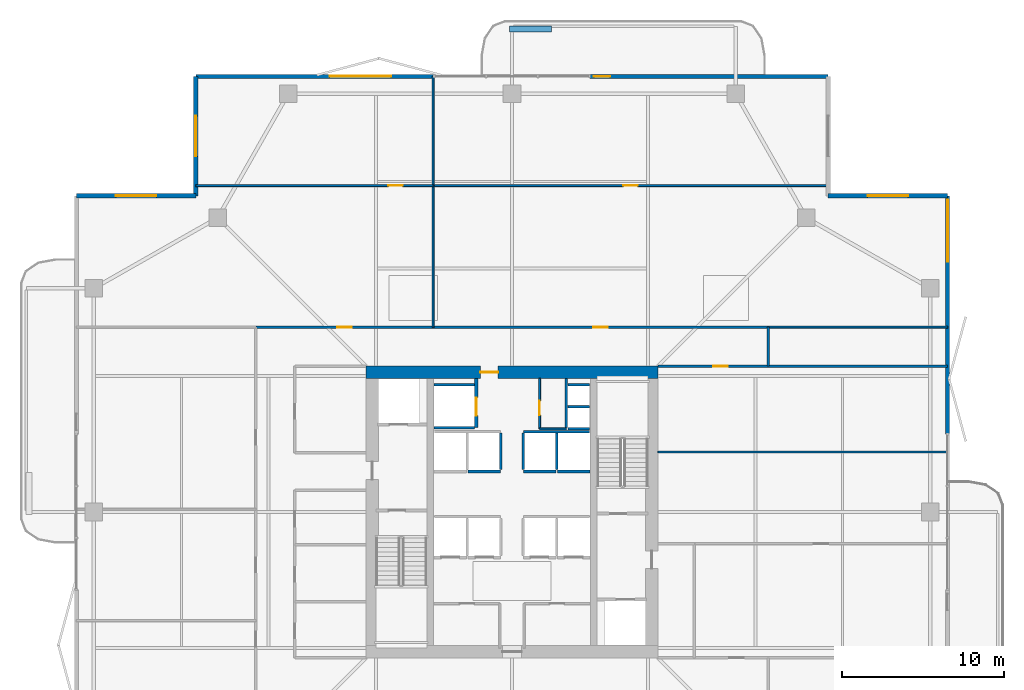
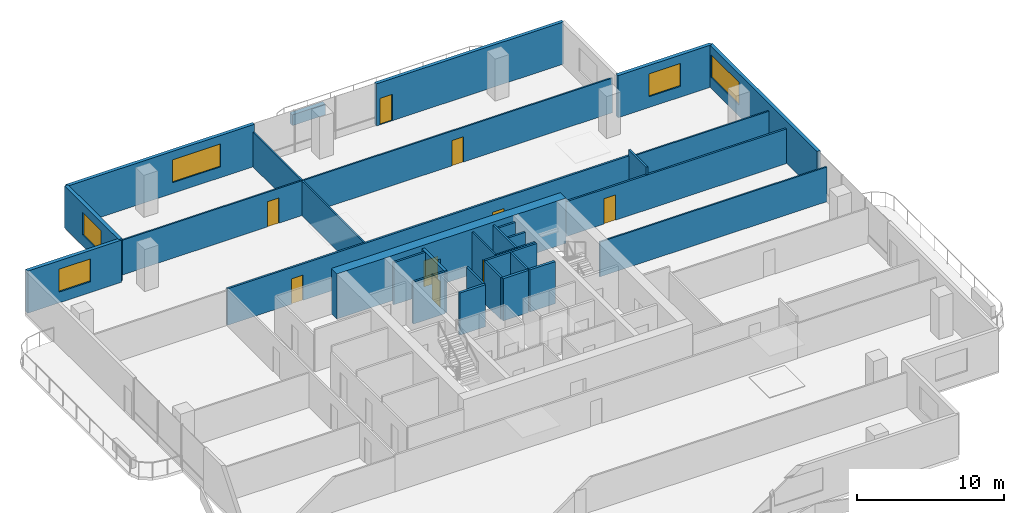
# One storey, part 19 of 24: 32 walls, 9 doors, 5 windows, 14 openings.
"""IFC4 building model written with IfcOpenShell, lengths in metres."""

import ifcopenshell
import ifcopenshell.guid

model = None  # the IFC model being written
_history = None  # IfcOwnerHistory: only IFC2X3 demands one
_inside = {}  # id of a spatial element -> (the spatial element, [elements in it])
_under = {}  # id of a project, library or spatial element -> (it, [spatial elements below it])
_declared = {}  # id of a project -> (the project, [libraries it declares])
_typed = {}  # id of a type object -> (the type object, [elements of that type])
_made_of = {}  # id of a material, layer set ... -> (it, [elements and type objects made of it])


def new_model(schema):
    """Start an empty IFC model of exactly this schema.

    Asked for "IFC4X3", IfcOpenShell would pick the latest addendum, in which some entities
    have other attributes; the version numbers below select the first issue.
    IFC2X3 requires an IfcOwnerHistory on every rooted entity: one is made here for all.
    """
    global model, _history
    if schema == "IFC4X3":
        model = ifcopenshell.file(schema_version=(4, 3, 0, 0))
    else:
        model = ifcopenshell.file(schema=schema)
    _inside.clear()
    _under.clear()
    _declared.clear()
    _typed.clear()
    _made_of.clear()
    _history = None
    if model.schema == "IFC2X3":
        org = make("IfcOrganization", Name="unknown")
        user = make(
            "IfcPersonAndOrganization",
            ThePerson=make("IfcPerson", FamilyName="unknown"),
            TheOrganization=org,
        )
        app = make(
            "IfcApplication",
            ApplicationDeveloper=org,
            Version="unknown",
            ApplicationFullName="unknown",
            ApplicationIdentifier="unknown",
        )
        _history = make(
            "IfcOwnerHistory",
            OwningUser=user,
            OwningApplication=app,
            ChangeAction="ADDED",
            CreationDate=0,
        )
    return model


def make(cls, **values):
    """One entity of the class cls with the attributes given. An attribute that is None is left unset."""
    return model.create_entity(
        cls, **{name: value for name, value in values.items() if value is not None}
    )


def rooted(cls, **values):
    """An entity with a GlobalId (a new one), such as an element, a storey or a relation."""
    return make(cls, GlobalId=ifcopenshell.guid.new(), OwnerHistory=_history, **values)


def si_unit(unit_type, name, prefix=None):
    """IfcSIUnit, for example si_unit("LENGTHUNIT", "METRE", prefix="MILLI")."""
    return make("IfcSIUnit", UnitType=unit_type, Prefix=prefix, Name=name)


def assignment(units):
    """IfcUnitAssignment: the units of a project."""
    return None if units is None else make("IfcUnitAssignment", Units=units)


def point(xyz):
    """IfcCartesianPoint."""
    return None if xyz is None else make("IfcCartesianPoint", Coordinates=xyz)


def direction(xyz):
    """IfcDirection."""
    return None if xyz is None else make("IfcDirection", DirectionRatios=xyz)


def frame(location, z_axis=None, x_axis=None):
    """IfcAxis2Placement3D, a coordinate frame: its origin and axes. An axis left out is left unset."""
    return make(
        "IfcAxis2Placement3D",
        Location=point(location),
        Axis=direction(z_axis),
        RefDirection=direction(x_axis),
    )


def frame_2d(location, x_axis=None):
    """IfcAxis2Placement2D, a coordinate frame in the plane: its origin and x axis."""
    return make(
        "IfcAxis2Placement2D", Location=point(location), RefDirection=direction(x_axis)
    )


def origin():
    """The frame at (0, 0, 0) with its axes left unset."""
    return frame((0.0, 0.0, 0.0))


def place(relative_to, where):
    """IfcLocalPlacement: puts the frame where relative to a parent placement (None: the world)."""
    return make(
        "IfcLocalPlacement", PlacementRelTo=relative_to, RelativePlacement=where
    )


def context(
    kind, dimensions, precision=None, world=None, true_north=None, identifier=None
):
    """IfcGeometricRepresentationContext, for example the 3D "Model" context."""
    return make(
        "IfcGeometricRepresentationContext",
        ContextIdentifier=identifier,
        ContextType=kind,
        CoordinateSpaceDimension=dimensions,
        Precision=precision,
        WorldCoordinateSystem=world,
        TrueNorth=true_north,
    )


def subcontext(parent, identifier, kind, view, scale=None):
    """IfcGeometricRepresentationSubContext, for example "Body" below "Model"."""
    return make(
        "IfcGeometricRepresentationSubContext",
        ContextIdentifier=identifier,
        ContextType=kind,
        ParentContext=parent,
        TargetScale=scale,
        TargetView=view,
    )


def project(units=None, contexts=None):
    """IfcProject with its units and contexts."""
    return rooted(
        "IfcProject",
        Name="project",
        RepresentationContexts=contexts,
        UnitsInContext=assignment(units),
    )


def spatial(cls, under=None, at=None, **own):
    """A site, building, storey or space (cls), placed at a placement, below another one or the project."""
    s = rooted(cls, ObjectPlacement=at, **own)
    if under is not None:
        _under.setdefault(under.id(), (under, []))[1].append(s)
    return s


def profile(cls, at=None, kind="AREA", **sizes):
    """A parametric profile (cls). Its sizes go by their IFC names, for example OverallWidth=200.0."""
    return make(cls, ProfileType=kind, Position=at, **sizes)


def rectangle(**sizes):
    """IfcRectangleProfileDef."""
    return profile("IfcRectangleProfileDef", **sizes)


def extrude(swept, where, along, depth):
    """IfcExtrudedAreaSolid: the profile swept, set in the frame where, extruded along a direction by depth."""
    return make(
        "IfcExtrudedAreaSolid",
        SweptArea=swept,
        Position=where,
        ExtrudedDirection=direction(along),
        Depth=depth,
    )


def shape(context_of_items, identifier, shape_type, items):
    """IfcShapeRepresentation: the items that make up one representation, for example the "Body"."""
    return make(
        "IfcShapeRepresentation",
        ContextOfItems=context_of_items,
        RepresentationIdentifier=identifier,
        RepresentationType=shape_type,
        Items=items,
    )


def material(Name=None, Category=None):
    """IfcMaterial."""
    return make("IfcMaterial", Name=Name, Category=Category)


def layer(
    of_material, thickness, ventilated=None, Name=None, Category=None, Priority=None
):
    """IfcMaterialLayer: one layer of a wall or slab, of a material (None: an air gap)."""
    return make(
        "IfcMaterialLayer",
        Material=of_material,
        LayerThickness=thickness,
        IsVentilated=ventilated,
        Name=Name,
        Category=Category,
        Priority=Priority,
    )


def layer_set(layers, Name=None):
    """IfcMaterialLayerSet."""
    return make("IfcMaterialLayerSet", MaterialLayers=layers, LayerSetName=Name)


def made_of(thing, what):
    """Note that an element or type object is made of a material, layer set ...; save() writes the relation."""
    if what is not None:
        _made_of.setdefault(what.id(), (what, []))[1].append(thing)
    return thing


def type_object(cls, material=None, **own):
    """A type object (cls), such as IfcWallType, which elements share."""
    return made_of(rooted(cls, **own), material)


def element(
    cls,
    number,
    at=None,
    inside=None,
    cuts=None,
    type_object=None,
    material=None,
    context=None,
    identifier="Body",
    shape_type=None,
    held_by="IfcProductDefinitionShape",
    body=None,
    shapes=None,
    **own,
):
    """One element of the class cls, such as IfcWall. Its Tag is "e" and its number.

    at: its placement. inside: the storey or other place that contains it. cuts: it is an
    opening in that element (IfcRelVoidsElement). A single representation is given by context,
    identifier, shape_type and body (its items); several are given by shapes. held_by: the class
    of the entity that holds the representations. save() writes the other relations.
    """
    e = rooted(cls, Tag="e%d" % number, ObjectPlacement=at, **own)
    if body is not None:
        shapes = [shape(context, identifier, shape_type, body)]
    if shapes is not None:
        e.Representation = make(held_by, Representations=shapes)
    if inside is not None:
        _inside.setdefault(inside.id(), (inside, []))[1].append(e)
    if cuts is not None:
        rooted(
            "IfcRelVoidsElement", RelatingBuildingElement=cuts, RelatedOpeningElement=e
        )
    if type_object is not None:
        _typed.setdefault(type_object.id(), (type_object, []))[1].append(e)
    return made_of(e, material)


def fill(opening, filler):
    """IfcRelFillsElement: the door or window that sits in an opening."""
    return rooted(
        "IfcRelFillsElement",
        RelatingOpeningElement=opening,
        RelatedBuildingElement=filler,
    )


def aggregate(whole, parts):
    """IfcRelAggregates: a whole, such as a stair, and the parts it consists of."""
    return rooted("IfcRelAggregates", RelatingObject=whole, RelatedObjects=parts)


def save(model, path):
    """Write the relations noted so far, then the file.

    IfcRelAggregates (storeys below a building ...), IfcRelContainedInSpatialStructure (elements
    in a storey), IfcRelDefinesByType, IfcRelAssociatesMaterial and IfcRelDeclares: one each for
    every whole, place, type object, material and project.
    """
    for whole, parts in _under.values():
        aggregate(whole, parts)
    for where, things in _inside.values():
        rooted(
            "IfcRelContainedInSpatialStructure",
            RelatedElements=things,
            RelatingStructure=where,
        )
    for kind, things in _typed.values():
        rooted("IfcRelDefinesByType", RelatedObjects=things, RelatingType=kind)
    for what, things in _made_of.values():
        rooted("IfcRelAssociatesMaterial", RelatedObjects=things, RelatingMaterial=what)
    for by, libraries in _declared.values():
        rooted("IfcRelDeclares", RelatingContext=by, RelatedDefinitions=libraries)
    model.write(path)


model = new_model("IFC4")

# Units and contexts
model_context = context("Model", 3, precision=1e-05, world=origin(), true_north=direction((0.0, 1.0)))
body_context = subcontext(model_context, "Body", "Model", "MODEL_VIEW")
ifc_project = project(units=[si_unit("LENGTHUNIT", "METRE"), si_unit("AREAUNIT", "SQUARE_METRE"), si_unit("VOLUMEUNIT", "CUBIC_METRE"), si_unit("PLANEANGLEUNIT", "RADIAN"), si_unit("MASSUNIT", "GRAM", prefix="KILO")], contexts=[model_context])

# Site, building, storey
site_placement = place(None, origin())
site = spatial("IfcSite", under=ifc_project, at=site_placement, CompositionType="ELEMENT")
building_placement = place(site_placement, origin())
building = spatial("IfcBuilding", under=site, at=building_placement, Name="Belovzor Exchange Tower", CompositionType="ELEMENT")
storey_placement = place(building_placement, frame((0.0, 0.0, 207.449951171875)))
storey = spatial("IfcBuildingStorey", under=building, at=storey_placement, Name="L51", CompositionType="ELEMENT", Elevation=207.449951171875)

# Wall, opening, door
ifc_material_1 = material(Name="Acoustic Plasterboard on Galvanised Studs", Category="gypsum")
ifc_layer_1 = layer(ifc_material_1, 0.1201171875)
ifc_layer_set_1 = layer_set([ifc_layer_1], Name="Acoustic Plasterboard on Galvanised Studs")
wall_type_1 = type_object("IfcWallType", Name="Acoustic Double-Stud Partition Wall 120", PredefinedType="PARTITIONING", material=ifc_layer_set_1)
wall_1_placement = place(storey_placement, frame((9.300048828125, 48.93505859375, 0.0), z_axis=(0.0, 0.0, 1.0), x_axis=(1.0, 0.0, 0.0)))
wall_1 = element("IfcWall", 1, at=wall_1_placement, inside=storey, type_object=wall_type_1, Name="W-P120 Partition Wall W-L51-NHDIV-0", PredefinedType="PARTITIONING", context=body_context, shape_type="SweptSolid", body=[
    extrude(rectangle(XDim=14.639892578125, YDim=0.1201171875, at=frame_2d((7.31982421875, 0.0))), origin(), (0.0, 0.0, 1.0), 2.885009765625),
])
opening_1_placement = place(wall_1_placement, frame((11.873046875, 0.0, 0.0)))
opening_1 = element("IfcOpeningElement", 2, at=opening_1_placement, cuts=wall_1, Name="Opening D-INT-090", PredefinedType="OPENING", context=body_context, shape_type="SweptSolid", body=[
    extrude(rectangle(XDim=0.89990234375, YDim=2.10009765625, at=frame_2d((0.449951171875, 1.050048828125))), frame((0.0, 0.070068359375, 0.0), z_axis=(0.0, -1.0, 0.0), x_axis=(1.0, 0.0, 0.0)), (0.0, 0.0, 1.0), 0.14013671875),
])
ifc_material_2 = material(Name="Veneered Hardwood Acoustic Leaf", Category="wood")
door_type_1 = type_object("IfcDoorType", Name="Trading Suite Acoustic Single Door 900x2100", OperationType="NOTDEFINED", PredefinedType="DOOR", material=ifc_material_2)
door_1_placement = place(opening_1_placement, origin())
door_1 = element("IfcDoor", 3, at=door_1_placement, inside=storey, type_object=door_type_1, Name="D-INT-090 Trading Suite Acoustic Single Door 900x2100", OperationType="SINGLE_SWING_RIGHT", OverallHeight=2.10009765625, OverallWidth=0.89990234375, PredefinedType="DOOR", context=body_context, shape_type="SweptSolid", body=[
    extrude(rectangle(XDim=0.89990234375, YDim=2.10009765625, at=frame_2d((0.449951171875, 1.050048828125))), frame((0.0, 0.02490234375, 0.0), z_axis=(0.0, -1.0, 0.0), x_axis=(1.0, 0.0, 0.0)), (0.0, 0.0, 1.0), 0.050048828125),
])
fill(opening_1, door_1)

# Wall
wall_2_placement = place(storey_placement, frame((23.93994140625, 40.199951171875, 0.0), z_axis=(0.0, 0.0, 1.0), x_axis=(0.0, 1.0, 0.0)))
element("IfcWall", 4, at=wall_2_placement, inside=storey, type_object=wall_type_1, Name="W-P120 Partition Wall W-L51-NDIV-1", PredefinedType="PARTITIONING", context=body_context, shape_type="SweptSolid", body=[
    extrude(rectangle(XDim=15.469970703125, YDim=0.1201171875, at=frame_2d((7.73486328125, 0.0))), origin(), (0.0, 0.0, 1.0), 2.885009765625),
])

# Wall, opening, door
wall_3_placement = place(storey_placement, frame((23.93994140625, 48.93505859375, 0.0), z_axis=(0.0, 0.0, 1.0), x_axis=(1.0, 0.0, 0.0)))
wall_3 = element("IfcWall", 5, at=wall_3_placement, inside=storey, type_object=wall_type_1, Name="W-P120 Partition Wall W-L51-NHDIV-1", PredefinedType="PARTITIONING", context=body_context, shape_type="SweptSolid", body=[
    extrude(rectangle(XDim=24.360107421875, YDim=0.1201171875, at=frame_2d((12.18017578125, 0.0))), origin(), (0.0, 0.0, 1.0), 2.885009765625),
])
opening_2_placement = place(wall_3_placement, frame((11.72998046875, 0.0, 0.0)))
opening_2 = element("IfcOpeningElement", 6, at=opening_2_placement, cuts=wall_3, Name="Opening D-INT-090", PredefinedType="OPENING", context=body_context, shape_type="SweptSolid", body=[
    extrude(rectangle(XDim=0.89990234375, YDim=2.10009765625, at=frame_2d((0.449951171875, 1.050048828125))), frame((0.0, 0.070068359375, 0.0), z_axis=(0.0, -1.0, 0.0), x_axis=(1.0, 0.0, 0.0)), (0.0, 0.0, 1.0), 0.14013671875),
])
door_2_placement = place(opening_2_placement, origin())
door_2 = element("IfcDoor", 7, at=door_2_placement, inside=storey, type_object=door_type_1, Name="D-INT-090 Trading Suite Acoustic Single Door 900x2100", OperationType="SINGLE_SWING_RIGHT", OverallHeight=2.10009765625, OverallWidth=0.89990234375, PredefinedType="DOOR", context=body_context, shape_type="SweptSolid", body=[
    extrude(rectangle(XDim=0.89990234375, YDim=2.10009765625, at=frame_2d((0.449951171875, 1.050048828125))), frame((0.0, 0.02490234375, 0.0), z_axis=(0.0, -1.0, 0.0), x_axis=(1.0, 0.0, 0.0)), (0.0, 0.0, 1.0), 0.050048828125),
])
fill(opening_2, door_2)

# Walls
wall_4_placement = place(storey_placement, frame((37.800048828125, 32.5, 0.0), z_axis=(0.0, 0.0, 1.0), x_axis=(1.0, 0.0, 0.0)))
element("IfcWall", 8, at=wall_4_placement, inside=storey, type_object=wall_type_1, Name="W-P120 Partition Wall W-L51-EDIV-2", PredefinedType="PARTITIONING", context=body_context, shape_type="SweptSolid", body=[
    extrude(rectangle(XDim=17.869873046875, YDim=0.1201171875, at=frame_2d((8.93505859375, 0.0))), origin(), (0.0, 0.0, 1.0), 2.885009765625),
])
wall_5_placement = place(storey_placement, frame((44.60009765625, 40.199951171875, 0.0), z_axis=(0.0, 0.0, 1.0), x_axis=(1.0, 0.0, 0.0)))
element("IfcWall", 9, at=wall_5_placement, inside=storey, type_object=wall_type_1, Name="W-P120 Partition Wall W-L51-END-NE", PredefinedType="PARTITIONING", context=body_context, shape_type="SweptSolid", body=[
    extrude(rectangle(XDim=11.06982421875, YDim=0.1201171875, at=frame_2d((5.534912109375, 0.0))), origin(), (0.0, 0.0, 1.0), 2.885009765625),
])

# Wall, opening, door
ifc_material_3 = material(Name="Fire-Rated Plasterboard on Galvanised Studs", Category="gypsum")
ifc_layer_2 = layer(ifc_material_3, 0.1201171875)
ifc_layer_set_2 = layer_set([ifc_layer_2], Name="Fire-Rated Plasterboard on Galvanised Studs")
wall_type_2 = type_object("IfcWallType", Name="Fire-Rated Double-Stud Partition Wall 120", PredefinedType="PARTITIONING", material=ifc_layer_set_2)
wall_6_placement = place(storey_placement, frame((30.5, 33.925048828125, 0.0), z_axis=(0.0, 0.0, 1.0), x_axis=(0.0, 1.0, 0.0)))
wall_6 = element("IfcWall", 10, at=wall_6_placement, inside=storey, type_object=wall_type_2, Name="W-P120F Partition Wall W-CRV-L51-W", PredefinedType="PARTITIONING", context=body_context, shape_type="SweptSolid", body=[
    extrude(rectangle(XDim=3.125, YDim=0.1201171875, at=frame_2d((1.5625, 0.0))), origin(), (0.0, 0.0, 1.0), 3.5),
])
opening_3_placement = place(wall_6_placement, frame((0.85009765625, 0.0, 0.0)))
opening_3 = element("IfcOpeningElement", 11, at=opening_3_placement, cuts=wall_6, Name="Opening D-FD60-090", PredefinedType="OPENING", context=body_context, shape_type="SweptSolid", body=[
    extrude(rectangle(XDim=0.89990234375, YDim=2.10009765625, at=frame_2d((0.449951171875, 1.050048828125))), frame((0.0, 0.070068359375, 0.0), z_axis=(0.0, -1.0, 0.0), x_axis=(1.0, 0.0, 0.0)), (0.0, 0.0, 1.0), 0.14013671875),
])
ifc_material_4 = material(Name="Acoustic Timber Fire Leaf", Category="wood")
door_type_2 = type_object("IfcDoorType", Name="Core Service & Restroom Fire Door 900x2100", OperationType="NOTDEFINED", PredefinedType="DOOR", material=ifc_material_4)
door_3_placement = place(opening_3_placement, origin())
door_3 = element("IfcDoor", 12, at=door_3_placement, inside=storey, type_object=door_type_2, Name="D-FD60-090 Core Service & Restroom Fire Door 900x2100", OperationType="SINGLE_SWING_LEFT", OverallHeight=2.10009765625, OverallWidth=0.89990234375, PredefinedType="DOOR", context=body_context, shape_type="SweptSolid", body=[
    extrude(rectangle(XDim=0.89990234375, YDim=2.10009765625, at=frame_2d((0.449951171875, 1.050048828125))), frame((0.0, 0.02490234375, 0.0), z_axis=(0.0, -1.0, 0.0), x_axis=(1.0, 0.0, 0.0)), (0.0, 0.0, 1.0), 0.050048828125),
])
fill(opening_3, door_3)

# Walls
wall_7_placement = place(storey_placement, frame((30.5, 33.925048828125, 0.0), z_axis=(0.0, 0.0, 1.0), x_axis=(1.0, 0.0, 0.0)))
element("IfcWall", 13, at=wall_7_placement, inside=storey, type_object=wall_type_2, Name="W-P120F Partition Wall W-CRV-L51-S", PredefinedType="PARTITIONING", context=body_context, shape_type="SweptSolid", body=[
    extrude(rectangle(XDim=1.64990234375, YDim=0.1201171875, at=frame_2d((0.824951171875, 0.0))), origin(), (0.0, 0.0, 1.0), 3.5),
])
ifc_material_5 = material(Name="Fire-Rated Gypsum Block and Mineral Wool", Category="gypsum")
ifc_layer_3 = layer(ifc_material_5, 0.14990234375)
ifc_layer_set_3 = layer_set([ifc_layer_3], Name="Fire-Rated Gypsum Block and Mineral Wool")
wall_type_3 = type_object("IfcWallType", Name="Fire-Rated Gypsum Block Corridor Wall 150", PredefinedType="PARTITIONING", material=ifc_layer_set_3)
wall_8_placement = place(storey_placement, frame((44.60009765625, 37.800048828125, 0.0), z_axis=(0.0, 0.0, 1.0), x_axis=(0.0, 1.0, 0.0)))
element("IfcWall", 14, at=wall_8_placement, inside=storey, type_object=wall_type_3, Name="W-P150 Partition Wall W-L51-END-EN", PredefinedType="PARTITIONING", context=body_context, shape_type="SweptSolid", body=[
    extrude(rectangle(XDim=2.39990234375, YDim=0.14990234375, at=frame_2d((1.199951171875, 0.0))), origin(), (0.0, 0.0, 1.0), 3.5),
])

# Wall, opening, door
wall_9_placement = place(storey_placement, frame((37.800048828125, 37.800048828125, 0.0), z_axis=(0.0, 0.0, 1.0), x_axis=(1.0, 0.0, 0.0)))
wall_9 = element("IfcWall", 15, at=wall_9_placement, inside=storey, type_object=wall_type_3, Name="W-P150 Partition Wall W-L51-CN-IN", PredefinedType="PARTITIONING", context=body_context, shape_type="SweptSolid", body=[
    extrude(rectangle(XDim=17.869873046875, YDim=0.14990234375, at=frame_2d((8.93505859375, 0.0))), origin(), (0.0, 0.0, 1.0), 2.885009765625),
])
opening_4_placement = place(wall_9_placement, frame((3.39990234375, 0.0, 0.0)))
opening_4 = element("IfcOpeningElement", 16, at=opening_4_placement, cuts=wall_9, Name="Opening D-INT-090", PredefinedType="OPENING", context=body_context, shape_type="SweptSolid", body=[
    extrude(rectangle(XDim=0.89990234375, YDim=2.10009765625, at=frame_2d((0.449951171875, 1.050048828125))), frame((0.0, 0.0849609375, 0.0), z_axis=(0.0, -1.0, 0.0), x_axis=(1.0, 0.0, 0.0)), (0.0, 0.0, 1.0), 0.169921875),
])
door_4_placement = place(opening_4_placement, origin())
door_4 = element("IfcDoor", 17, at=door_4_placement, inside=storey, type_object=door_type_1, Name="D-INT-090 Trading Suite Acoustic Single Door 900x2100", OperationType="SINGLE_SWING_RIGHT", OverallHeight=2.10009765625, OverallWidth=0.89990234375, PredefinedType="DOOR", context=body_context, shape_type="SweptSolid", body=[
    extrude(rectangle(XDim=0.89990234375, YDim=2.10009765625, at=frame_2d((0.449951171875, 1.050048828125))), frame((0.0, 0.02490234375, 0.0), z_axis=(0.0, -1.0, 0.0), x_axis=(1.0, 0.0, 0.0)), (0.0, 0.0, 1.0), 0.050048828125),
])
fill(opening_4, door_4)

# Wall, openings, doors
wall_10_placement = place(storey_placement, frame((13.0, 40.199951171875, 0.0), z_axis=(0.0, 0.0, 1.0), x_axis=(1.0, 0.0, 0.0)))
wall_10 = element("IfcWall", 18, at=wall_10_placement, inside=storey, type_object=wall_type_3, Name="W-P150 Partition Wall W-L51-CN", PredefinedType="PARTITIONING", context=body_context, shape_type="SweptSolid", body=[
    extrude(rectangle(XDim=31.60009765625, YDim=0.14990234375, at=frame_2d((15.800048828125, 0.0))), origin(), (0.0, 0.0, 1.0), 3.03515625),
])
opening_5_placement = place(wall_10_placement, frame((5.02001953125, 0.0, 0.0)))
opening_5 = element("IfcOpeningElement", 19, at=opening_5_placement, cuts=wall_10, Name="Opening D-INT-090", PredefinedType="OPENING", context=body_context, shape_type="SweptSolid", body=[
    extrude(rectangle(XDim=0.89990234375, YDim=2.10009765625, at=frame_2d((0.449951171875, 1.050048828125))), frame((0.0, 0.0849609375, 0.0), z_axis=(0.0, -1.0, 0.0), x_axis=(1.0, 0.0, 0.0)), (0.0, 0.0, 1.0), 0.169921875),
])
opening_6_placement = place(wall_10_placement, frame((20.820068359375, 0.0, 0.0)))
opening_6 = element("IfcOpeningElement", 20, at=opening_6_placement, cuts=wall_10, Name="Opening D-INT-090", PredefinedType="OPENING", context=body_context, shape_type="SweptSolid", body=[
    extrude(rectangle(XDim=0.89990234375, YDim=2.10009765625, at=frame_2d((0.449951171875, 1.050048828125))), frame((0.0, 0.0849609375, 0.0), z_axis=(0.0, -1.0, 0.0), x_axis=(1.0, 0.0, 0.0)), (0.0, 0.0, 1.0), 0.169921875),
])
door_5_placement = place(opening_5_placement, origin())
door_5 = element("IfcDoor", 21, at=door_5_placement, inside=storey, type_object=door_type_1, Name="D-INT-090 Trading Suite Acoustic Single Door 900x2100", OperationType="SINGLE_SWING_LEFT", OverallHeight=2.10009765625, OverallWidth=0.89990234375, PredefinedType="DOOR", context=body_context, shape_type="SweptSolid", body=[
    extrude(rectangle(XDim=0.89990234375, YDim=2.10009765625, at=frame_2d((0.449951171875, 1.050048828125))), frame((0.0, 0.02490234375, 0.0), z_axis=(0.0, -1.0, 0.0), x_axis=(1.0, 0.0, 0.0)), (0.0, 0.0, 1.0), 0.050048828125),
])
fill(opening_5, door_5)
door_6_placement = place(opening_6_placement, origin())
door_6 = element("IfcDoor", 22, at=door_6_placement, inside=storey, type_object=door_type_1, Name="D-INT-090 Trading Suite Acoustic Single Door 900x2100", OperationType="SINGLE_SWING_RIGHT", OverallHeight=2.10009765625, OverallWidth=0.89990234375, PredefinedType="DOOR", context=body_context, shape_type="SweptSolid", body=[
    extrude(rectangle(XDim=0.89990234375, YDim=2.10009765625, at=frame_2d((0.449951171875, 1.050048828125))), frame((0.0, 0.02490234375, 0.0), z_axis=(0.0, -1.0, 0.0), x_axis=(1.0, 0.0, 0.0)), (0.0, 0.0, 1.0), 0.050048828125),
])
fill(opening_6, door_6)

# Wall, opening, window
ifc_material_6 = material(Name="Precast concrete C40/50", Category="concrete")
ifc_layer_4 = layer(ifc_material_6, 0.280029296875)
ifc_layer_set_4 = layer_set([ifc_layer_4], Name="Precast concrete C40/50")
wall_type_4 = type_object("IfcWallType", Name="Precast Concrete Notched Corner Frame Wall 280", PredefinedType="SOLIDWALL", material=ifc_layer_set_4)
wall_11_placement = place(storey_placement, frame((1.929931640625, 48.300048828125, 0.0), z_axis=(0.0, 0.0, 1.0), x_axis=(1.0, 0.0, 0.0)))
wall_11 = element("IfcWall", 23, at=wall_11_placement, inside=storey, type_object=wall_type_4, Name="W-CRN280 Precast Concrete Notched Corner Frame Wall 280 L51", PredefinedType="SOLIDWALL", context=body_context, shape_type="SweptSolid", body=[
    extrude(rectangle(XDim=7.3701171875, YDim=0.280029296875, at=frame_2d((3.68505859375, 0.0))), origin(), (0.0, 0.0, 1.0), 3.5),
])
opening_7_placement = place(wall_11_placement, frame((2.43505859375, 0.0, 0.89990234375)))
opening_7 = element("IfcOpeningElement", 24, at=opening_7_placement, cuts=wall_11, Name="Opening WN-CRN250", PredefinedType="OPENING", context=body_context, shape_type="SweptSolid", body=[
    extrude(rectangle(XDim=2.5, YDim=1.89990234375, at=frame_2d((1.25, 0.949951171875))), frame((0.0, 0.14990234375, 0.0), z_axis=(0.0, -1.0, 0.0), x_axis=(1.0, 0.0, 0.0)), (0.0, 0.0, 1.0), 0.300048828125),
])
ifc_material_7 = material(Name="Thermally Broken Aluminium and Triple Glazing", Category="aluminium")
window_type_1 = type_object("IfcWindowType", Name="Streamline Moderne Corner Wrap Ribbon Window 2500x1900", PartitioningType="SINGLE_PANEL", PredefinedType="WINDOW", material=ifc_material_7)
window_1_placement = place(opening_7_placement, origin())
window_1 = element("IfcWindow", 25, at=window_1_placement, inside=storey, type_object=window_type_1, Name="WN-CRN250 Streamline Moderne Corner Wrap Ribbon Window 2500x1900", OverallHeight=1.89990234375, OverallWidth=2.5, PartitioningType="SINGLE_PANEL", PredefinedType="WINDOW", context=body_context, shape_type="SweptSolid", body=[
    extrude(rectangle(XDim=2.5, YDim=1.89990234375, at=frame_2d((1.25, 0.949951171875))), frame((0.0, 0.030029296875, 0.0), z_axis=(0.0, -1.0, 0.0), x_axis=(1.0, 0.0, 0.0)), (0.0, 0.0, 1.0), 0.06005859375),
])
fill(opening_7, window_1)

wall_12_placement = place(storey_placement, frame((9.300048828125, 48.300048828125, 0.0), z_axis=(0.0, 0.0, 1.0), x_axis=(0.0, 1.0, 0.0)))
wall_12 = element("IfcWall", 26, at=wall_12_placement, inside=storey, type_object=wall_type_4, Name="W-CRN280 Precast Concrete Notched Corner Frame Wall 280 L51", PredefinedType="SOLIDWALL", context=body_context, shape_type="SweptSolid", body=[
    extrude(rectangle(XDim=7.369873046875, YDim=0.280029296875, at=frame_2d((3.68505859375, 0.0))), origin(), (0.0, 0.0, 1.0), 3.5),
])
opening_8_placement = place(wall_12_placement, frame((2.43505859375, 0.0, 0.89990234375)))
opening_8 = element("IfcOpeningElement", 27, at=opening_8_placement, cuts=wall_12, Name="Opening WN-CRN250", PredefinedType="OPENING", context=body_context, shape_type="SweptSolid", body=[
    extrude(rectangle(XDim=2.5, YDim=1.89990234375, at=frame_2d((1.25, 0.949951171875))), frame((0.0, 0.14990234375, 0.0), z_axis=(0.0, -1.0, 0.0), x_axis=(1.0, 0.0, 0.0)), (0.0, 0.0, 1.0), 0.300048828125),
])
window_2_placement = place(opening_8_placement, origin())
window_2 = element("IfcWindow", 28, at=window_2_placement, inside=storey, type_object=window_type_1, Name="WN-CRN250 Streamline Moderne Corner Wrap Ribbon Window 2500x1900", OverallHeight=1.89990234375, OverallWidth=2.5, PartitioningType="SINGLE_PANEL", PredefinedType="WINDOW", context=body_context, shape_type="SweptSolid", body=[
    extrude(rectangle(XDim=2.5, YDim=1.89990234375, at=frame_2d((1.25, 0.949951171875))), frame((0.0, 0.030029296875, 0.0), z_axis=(0.0, -1.0, 0.0), x_axis=(1.0, 0.0, 0.0)), (0.0, 0.0, 1.0), 0.06005859375),
])
fill(opening_8, window_2)

wall_13_placement = place(storey_placement, frame((48.300048828125, 48.300048828125, 0.0), z_axis=(0.0, 0.0, 1.0), x_axis=(1.0, 0.0, 0.0)))
wall_13 = element("IfcWall", 29, at=wall_13_placement, inside=storey, type_object=wall_type_4, Name="W-CRN280 Precast Concrete Notched Corner Frame Wall 280 L51", PredefinedType="SOLIDWALL", context=body_context, shape_type="SweptSolid", body=[
    extrude(rectangle(XDim=7.369873046875, YDim=0.280029296875, at=frame_2d((3.68505859375, 0.0))), origin(), (0.0, 0.0, 1.0), 3.5),
])
opening_9_placement = place(wall_13_placement, frame((2.43505859375, 0.0, 0.89990234375)))
opening_9 = element("IfcOpeningElement", 30, at=opening_9_placement, cuts=wall_13, Name="Opening WN-CRN250", PredefinedType="OPENING", context=body_context, shape_type="SweptSolid", body=[
    extrude(rectangle(XDim=2.5, YDim=1.89990234375, at=frame_2d((1.25, 0.949951171875))), frame((0.0, 0.14990234375, 0.0), z_axis=(0.0, -1.0, 0.0), x_axis=(1.0, 0.0, 0.0)), (0.0, 0.0, 1.0), 0.300048828125),
])
window_3_placement = place(opening_9_placement, origin())
window_3 = element("IfcWindow", 31, at=window_3_placement, inside=storey, type_object=window_type_1, Name="WN-CRN250 Streamline Moderne Corner Wrap Ribbon Window 2500x1900", OverallHeight=1.89990234375, OverallWidth=2.5, PartitioningType="SINGLE_PANEL", PredefinedType="WINDOW", context=body_context, shape_type="SweptSolid", body=[
    extrude(rectangle(XDim=2.5, YDim=1.89990234375, at=frame_2d((1.25, 0.949951171875))), frame((0.0, 0.030029296875, 0.0), z_axis=(0.0, -1.0, 0.0), x_axis=(1.0, 0.0, 0.0)), (0.0, 0.0, 1.0), 0.06005859375),
])
fill(opening_9, window_3)

ifc_material_8 = material(Name="Precast concrete C40/50", Category="concrete")
ifc_layer_5 = layer(ifc_material_8, 0.260009765625)
ifc_layer_set_5 = layer_set([ifc_layer_5], Name="Precast concrete C40/50")
wall_type_5 = type_object("IfcWallType", Name="Precast Concrete Perimeter Loggia Frame Wall 260", PredefinedType="SOLIDWALL", material=ifc_layer_set_5)
wall_14_placement = place(storey_placement, frame((9.300048828125, 55.669921875, 0.0), z_axis=(0.0, 0.0, 1.0), x_axis=(1.0, 0.0, 0.0)))
wall_14 = element("IfcWall", 32, at=wall_14_placement, inside=storey, type_object=wall_type_5, Name="W-EXT260 Precast Concrete Perimeter Loggia Frame Wall 260 L51", PredefinedType="SOLIDWALL", context=body_context, shape_type="SweptSolid", body=[
    extrude(rectangle(XDim=14.699951171875, YDim=0.260009765625, at=frame_2d((7.35009765625, 0.0))), origin(), (0.0, 0.0, 1.0), 3.5),
])
opening_10_placement = place(wall_14_placement, frame((8.25, 0.0, 0.89990234375)))
opening_10 = element("IfcOpeningElement", 33, at=opening_10_placement, cuts=wall_14, Name="Opening WN-RIB380", PredefinedType="OPENING", context=body_context, shape_type="SweptSolid", body=[
    extrude(rectangle(XDim=3.800048828125, YDim=1.89990234375, at=frame_2d((1.89990234375, 0.949951171875))), frame((0.0, 0.139892578125, 0.0), z_axis=(0.0, -1.0, 0.0), x_axis=(1.0, 0.0, 0.0)), (0.0, 0.0, 1.0), 0.280029296875),
])
ifc_material_9 = material(Name="Thermally Broken Aluminium and Triple Glazing", Category="aluminium")
window_type_2 = type_object("IfcWindowType", Name="Streamline Moderne Horizontal Ribbon Window 3800x1900", PartitioningType="SINGLE_PANEL", PredefinedType="WINDOW", material=ifc_material_9)
window_4_placement = place(opening_10_placement, origin())
window_4 = element("IfcWindow", 34, at=window_4_placement, inside=storey, type_object=window_type_2, Name="WN-RIB380 Streamline Moderne Horizontal Ribbon Window 3800x1900", OverallHeight=1.89990234375, OverallWidth=3.800048828125, PartitioningType="SINGLE_PANEL", PredefinedType="WINDOW", context=body_context, shape_type="SweptSolid", body=[
    extrude(rectangle(XDim=3.800048828125, YDim=1.89990234375, at=frame_2d((1.89990234375, 0.949951171875))), frame((0.0, 0.030029296875, 0.0), z_axis=(0.0, -1.0, 0.0), x_axis=(1.0, 0.0, 0.0)), (0.0, 0.0, 1.0), 0.06005859375),
])
fill(opening_10, window_4)

# Wall, opening, door
wall_15_placement = place(storey_placement, frame((33.60009765625, 55.669921875, 0.0), z_axis=(0.0, 0.0, 1.0), x_axis=(1.0, 0.0, 0.0)))
wall_15 = element("IfcWall", 35, at=wall_15_placement, inside=storey, type_object=wall_type_5, Name="W-EXT260 Precast Concrete Perimeter Loggia Frame Wall 260 L51", PredefinedType="SOLIDWALL", context=body_context, shape_type="SweptSolid", body=[
    extrude(rectangle(XDim=14.699951171875, YDim=0.260009765625, at=frame_2d((7.35009765625, 0.0))), origin(), (0.0, 0.0, 1.0), 3.5),
])
opening_11_placement = place(wall_15_placement, frame((0.25, 0.0, 0.0)))
opening_11 = element("IfcOpeningElement", 36, at=opening_11_placement, cuts=wall_15, Name="Opening D-BAL100", PredefinedType="OPENING", context=body_context, shape_type="SweptSolid", body=[
    extrude(rectangle(XDim=1.0, YDim=2.199951171875, at=frame_2d((0.5, 1.10009765625))), frame((0.0, 0.139892578125, 0.0), z_axis=(0.0, -1.0, 0.0), x_axis=(1.0, 0.0, 0.0)), (0.0, 0.0, 1.0), 0.280029296875),
])
ifc_material_10 = material(Name="Thermally Broken Anodised Aluminium and Laminated Glass", Category="aluminium")
door_type_3 = type_object("IfcDoorType", Name="Planted Loggia Terrace Glazed Door 1000x2200", OperationType="SINGLE_SWING_LEFT", PredefinedType="DOOR", material=ifc_material_10)
door_7_placement = place(opening_11_placement, origin())
door_7 = element("IfcDoor", 37, at=door_7_placement, inside=storey, type_object=door_type_3, Name="D-BAL100 Balcony Terrace Door L51 N", OperationType="SINGLE_SWING_RIGHT", OverallHeight=2.199951171875, OverallWidth=1.0, PredefinedType="DOOR", context=body_context, shape_type="SweptSolid", body=[
    extrude(rectangle(XDim=1.0, YDim=2.199951171875, at=frame_2d((0.5, 1.10009765625))), frame((0.0, 0.02490234375, 0.0), z_axis=(0.0, -1.0, 0.0), x_axis=(1.0, 0.0, 0.0)), (0.0, 0.0, 1.0), 0.050048828125),
])
fill(opening_11, door_7)

# Wall, opening, window
wall_16_placement = place(storey_placement, frame((55.669921875, 48.300048828125, 0.0), z_axis=(0.0, 0.0, 1.0), x_axis=(0.0, -1.0, 0.0)))
wall_16 = element("IfcWall", 38, at=wall_16_placement, inside=storey, type_object=wall_type_5, Name="W-EXT260 Precast Concrete Perimeter Loggia Frame Wall 260 L51", PredefinedType="SOLIDWALL", context=body_context, shape_type="SweptSolid", body=[
    extrude(rectangle(XDim=14.699951171875, YDim=0.260009765625, at=frame_2d((7.35009765625, 0.0))), origin(), (0.0, 0.0, 1.0), 3.5),
])
opening_12_placement = place(wall_16_placement, frame((0.25, 0.0, 0.89990234375)))
opening_12 = element("IfcOpeningElement", 39, at=opening_12_placement, cuts=wall_16, Name="Opening WN-RIB380", PredefinedType="OPENING", context=body_context, shape_type="SweptSolid", body=[
    extrude(rectangle(XDim=3.800048828125, YDim=1.89990234375, at=frame_2d((1.89990234375, 0.949951171875))), frame((0.0, 0.139892578125, 0.0), z_axis=(0.0, -1.0, 0.0), x_axis=(1.0, 0.0, 0.0)), (0.0, 0.0, 1.0), 0.280029296875),
])
window_5_placement = place(opening_12_placement, origin())
window_5 = element("IfcWindow", 40, at=window_5_placement, inside=storey, type_object=window_type_2, Name="WN-RIB380 Streamline Moderne Horizontal Ribbon Window 3800x1900", OverallHeight=1.89990234375, OverallWidth=3.800048828125, PartitioningType="SINGLE_PANEL", PredefinedType="WINDOW", context=body_context, shape_type="SweptSolid", body=[
    extrude(rectangle(XDim=3.800048828125, YDim=1.89990234375, at=frame_2d((1.89990234375, 0.949951171875))), frame((0.0, 0.030029296875, 0.0), z_axis=(0.0, -1.0, 0.0), x_axis=(1.0, 0.0, 0.0)), (0.0, 0.0, 1.0), 0.06005859375),
])
fill(opening_12, window_5)

# Walls
ifc_material_11 = material(Name="Precast concrete C40/50", Category="concrete")
ifc_layer_6 = layer(ifc_material_11, 0.35009765625)
ifc_layer_set_6 = layer_set([ifc_layer_6], Name="Precast concrete C40/50")
wall_type_6 = type_object("IfcWallType", Name="Precast Concrete Structural Tree Planter Trough 350", PredefinedType="PARAPET", material=ifc_layer_set_6)
wall_17_placement = place(storey_placement, frame((28.64990234375, 58.60009765625, 0.0), z_axis=(0.0, 0.0, 1.0), x_axis=(1.0, 0.0, 0.0)))
element("IfcWall", 41, at=wall_17_placement, inside=storey, type_object=wall_type_6, Name="PT-350 Precast Concrete Structural Tree Planter Trough 350 L51", PredefinedType="PARAPET", context=body_context, shape_type="SweptSolid", body=[
    extrude(rectangle(XDim=2.60009765625, YDim=0.35009765625, at=frame_2d((1.300048828125, 0.0))), origin(), (0.0, 0.0, 1.0), 0.900146484375),
])
ifc_material_12 = material(Name="Concrete C50/60", Category="concrete")
ifc_layer_7 = layer(ifc_material_12, 0.14990234375)
ifc_layer_set_7 = layer_set([ifc_layer_7], Name="Concrete C50/60")
wall_type_7 = type_object("IfcWallType", Name="Reinforced Concrete Core Riser Shear Wall 150", PredefinedType="SHEAR", material=ifc_layer_set_7)
wall_18_placement = place(storey_placement, frame((32.14990234375, 34.0, 0.0), z_axis=(0.0, 0.0, 1.0), x_axis=(0.0, 1.0, 0.0)))
element("IfcWall", 42, at=wall_18_placement, inside=storey, type_object=wall_type_7, Name="W-C150S Core Shaft Wall W-RSR-L51-E", PredefinedType="SHEAR", context=body_context, shape_type="SweptSolid", body=[
    extrude(rectangle(XDim=3.050048828125, YDim=0.14990234375, at=frame_2d((1.52490234375, 0.0))), origin(), (0.0, 0.0, 1.0), 3.5),
])
for number, where, z_axis, x_axis, name in (
    (43, (32.25, 33.925048828125, 0.0), (0.0, 0.0, 1.0), (1.0, 0.0, 0.0), "W-C150S Core Shaft Wall W-RSR-L51-S"),
    (44, (32.25, 35.300048828125, 0.0), (0.0, 0.0, 1.0), (1.0, 0.0, 0.0), "W-C150S Core Shaft Wall W-RSR-L51-M"),
):
    element("IfcWall", number, at=place(storey_placement, frame(where, z_axis=z_axis, x_axis=x_axis)), inside=storey, type_object=wall_type_7, Name=name, PredefinedType="SHEAR", context=body_context, shape_type="SweptSolid", body=[
        extrude(rectangle(XDim=1.330078125, YDim=0.14990234375, at=frame_2d((0.6650390625, 0.0))), origin(), (0.0, 0.0, 1.0), 3.5),
    ])
for number, where, z_axis, x_axis, name in (
    (45, (24.0, 34.0, 0.0), (0.0, 0.0, 1.0), (1.0, 0.0, 0.0), "W-C150S Core Shaft Wall W-SH-L51-SL-01S"),
    (46, (24.0, 36.64990234375, 0.0), (0.0, 0.0, 1.0), (1.0, 0.0, 0.0), "W-C150S Core Shaft Wall W-SH-L51-SL-01N"),
):
    element("IfcWall", number, at=place(storey_placement, frame(where, z_axis=z_axis, x_axis=x_axis)), inside=storey, type_object=wall_type_7, Name=name, PredefinedType="SHEAR", context=body_context, shape_type="SweptSolid", body=[
        extrude(rectangle(XDim=2.47998046875, YDim=0.14990234375, at=frame_2d((1.239990234375, 0.0))), origin(), (0.0, 0.0, 1.0), 3.5),
    ])
wall_19_placement = place(storey_placement, frame((32.25, 36.64990234375, 0.0), z_axis=(0.0, 0.0, 1.0), x_axis=(1.0, 0.0, 0.0)))
element("IfcWall", 47, at=wall_19_placement, inside=storey, type_object=wall_type_7, Name="W-C150S Core Shaft Wall W-RSR-L51-N", PredefinedType="SHEAR", context=body_context, shape_type="SweptSolid", body=[
    extrude(rectangle(XDim=1.330078125, YDim=0.14990234375, at=frame_2d((0.6650390625, 0.0))), origin(), (0.0, 0.0, 1.0), 3.5),
])
wall_20_placement = place(storey_placement, frame((29.5, 33.760009765625, 0.0), z_axis=(0.0, 0.0, 1.0), x_axis=(1.0, 0.0, 0.0)))
element("IfcWall", 48, at=wall_20_placement, inside=storey, type_object=wall_type_7, Name="W-C150S Core Shaft Wall W-SHB-L51-PLH-NE", PredefinedType="SHEAR", context=body_context, shape_type="SweptSolid", body=[
    extrude(rectangle(XDim=4.080078125, YDim=0.14990234375, at=frame_2d((2.0400390625, 0.0))), origin(), (0.0, 0.0, 1.0), 3.5),
])
for number, where, z_axis, x_axis, name in (
    (49, (28.10009765625, 31.419921875, 0.0), (0.0, 0.0, 1.0), (0.0, 1.0, 0.0), "W-C150S Core Shaft Wall W-SHD-L51-PLH-2"),
    (50, (29.5, 31.419921875, 0.0), (0.0, 0.0, 1.0), (0.0, 1.0, 0.0), "W-C150S Core Shaft Wall W-SHD-L51-PLH-3"),
    (51, (31.550048828125, 31.419921875, 0.0), (0.0, 0.0, 1.0), (0.0, 1.0, 0.0), "W-C150S Core Shaft Wall W-SHD-L51-PLH-4"),
):
    element("IfcWall", number, at=place(storey_placement, frame(where, z_axis=z_axis, x_axis=x_axis)), inside=storey, type_object=wall_type_7, Name=name, PredefinedType="SHEAR", context=body_context, shape_type="SweptSolid", body=[
        extrude(rectangle(XDim=2.239990234375, YDim=0.14990234375, at=frame_2d((1.1201171875, 0.0))), origin(), (0.0, 0.0, 1.0), 3.5),
    ])

# Wall, opening, door
ifc_material_13 = material(Name="Concrete C50/60", Category="concrete")
ifc_layer_8 = layer(ifc_material_13, 0.199951171875)
ifc_layer_set_8 = layer_set([ifc_layer_8], Name="Concrete C50/60")
wall_type_8 = type_object("IfcWallType", Name="Reinforced Concrete Core Shaft Shear Wall 200", PredefinedType="SHEAR", material=ifc_layer_set_8)
wall_21_placement = place(storey_placement, frame((26.60009765625, 34.0, 0.0), z_axis=(0.0, 0.0, 1.0), x_axis=(0.0, 1.0, 0.0)))
wall_21 = element("IfcWall", 52, at=wall_21_placement, inside=storey, type_object=wall_type_8, Name="W-C200S Core Shaft Wall W-SH-L51-SL-01", PredefinedType="SHEAR", context=body_context, shape_type="SweptSolid", body=[
    extrude(rectangle(XDim=3.050048828125, YDim=0.199951171875, at=frame_2d((1.52490234375, 0.0))), origin(), (0.0, 0.0, 1.0), 3.5),
])
opening_13_placement = place(wall_21_placement, frame((0.75, 0.0, 0.0)))
opening_13 = element("IfcOpeningElement", 53, at=opening_13_placement, cuts=wall_21, Name="Opening LD-110", PredefinedType="OPENING", context=body_context, shape_type="SweptSolid", body=[
    extrude(rectangle(XDim=1.10009765625, YDim=2.14990234375, at=frame_2d((0.550048828125, 1.074951171875))), frame((0.0, 0.10986328125, 0.0), z_axis=(0.0, -1.0, 0.0), x_axis=(1.0, 0.0, 0.0)), (0.0, 0.0, 1.0), 0.219970703125),
])
ifc_material_14 = material(Name="Stainless Steel Grade 304", Category="steel")
door_type_4 = type_object("IfcDoorType", Name="Automated Stainless Steel Lift Landing Door 1100x2150", OperationType="SLIDING_TO_RIGHT", PredefinedType="DOOR", material=ifc_material_14)
door_8_placement = place(opening_13_placement, origin())
door_8 = element("IfcDoor", 54, at=door_8_placement, inside=storey, type_object=door_type_4, Name="LD-110 Automated Stainless Steel Lift Landing Door 1100x2150", OperationType="SLIDING_TO_RIGHT", OverallHeight=2.14990234375, OverallWidth=1.10009765625, PredefinedType="DOOR", context=body_context, shape_type="SweptSolid", body=[
    extrude(rectangle(XDim=1.10009765625, YDim=2.14990234375, at=frame_2d((0.550048828125, 1.074951171875))), frame((0.0, 0.02490234375, 0.0), z_axis=(0.0, -1.0, 0.0), x_axis=(1.0, 0.0, 0.0)), (0.0, 0.0, 1.0), 0.050048828125),
])
fill(opening_13, door_8)

# Walls
for number, where, z_axis, x_axis, name in (
    (55, (26.10009765625, 31.300048828125, 0.0), (0.0, 0.0, 1.0), (1.0, 0.0, 0.0), "W-C200S Core Shaft Wall W-SH-L51-PL-H2"),
    (56, (29.5, 31.300048828125, 0.0), (0.0, 0.0, 1.0), (1.0, 0.0, 0.0), "W-C200S Core Shaft Wall W-SH-L51-PL-H3"),
    (57, (31.60009765625, 31.300048828125, 0.0), (0.0, 0.0, 1.0), (1.0, 0.0, 0.0), "W-C200S Core Shaft Wall W-SH-L51-PL-H4"),
):
    element("IfcWall", number, at=place(storey_placement, frame(where, z_axis=z_axis, x_axis=x_axis)), inside=storey, type_object=wall_type_8, Name=name, PredefinedType="SHEAR", context=body_context, shape_type="SweptSolid", body=[
        extrude(rectangle(XDim=2.0, YDim=0.199951171875, at=frame_2d((1.0, 0.0))), origin(), (0.0, 0.0, 1.0), 3.5),
    ])

# Wall, opening, door
ifc_material_15 = material(Name="Concrete C50/60", Category="concrete")
ifc_layer_9 = layer(ifc_material_15, 0.75)
ifc_layer_set_9 = layer_set([ifc_layer_9], Name="Concrete C50/60")
wall_type_9 = type_object("IfcWallType", Name="Reinforced Concrete Core Shear Wall 750", PredefinedType="SHEAR", material=ifc_layer_set_9)
wall_22_placement = place(storey_placement, frame((19.800048828125, 37.425048828125, 0.0), z_axis=(0.0, 0.0, 1.0), x_axis=(1.0, 0.0, 0.0)))
wall_22 = element("IfcWall", 58, at=wall_22_placement, inside=storey, type_object=wall_type_9, Name="CW-S075 Core Shear Wall L51 N", PredefinedType="SHEAR", context=body_context, shape_type="SweptSolid", body=[
    extrude(rectangle(XDim=18.0, YDim=0.75, at=frame_2d((9.0, 0.0))), origin(), (0.0, 0.0, 1.0), 3.75),
])
opening_14_placement = place(wall_22_placement, frame((7.050048828125, 0.0, 0.0)))
opening_14 = element("IfcOpeningElement", 59, at=opening_14_placement, cuts=wall_22, Name="Opening D-FD90-110", PredefinedType="OPENING", context=body_context, shape_type="SweptSolid", body=[
    extrude(rectangle(XDim=1.10009765625, YDim=2.14990234375, at=frame_2d((0.550048828125, 1.074951171875))), frame((0.0, 0.385009765625, 0.0), z_axis=(0.0, -1.0, 0.0), x_axis=(1.0, 0.0, 0.0)), (0.0, 0.0, 1.0), 0.77001953125),
])
ifc_material_16 = material(Name="Fire-Rated Galvanised Steel Leaf", Category="steel")
door_type_5 = type_object("IfcDoorType", Name="Protected Escape Vestibule Fire Door 1100x2150", OperationType="NOTDEFINED", PredefinedType="DOOR", material=ifc_material_16)
door_9_placement = place(opening_14_placement, origin())
door_9 = element("IfcDoor", 60, at=door_9_placement, inside=storey, type_object=door_type_5, Name="D-FD90-110 Protected Escape Vestibule Fire Door 1100x2150", OperationType="SINGLE_SWING_RIGHT", OverallHeight=2.14990234375, OverallWidth=1.10009765625, PredefinedType="DOOR", context=body_context, shape_type="SweptSolid", body=[
    extrude(rectangle(XDim=1.10009765625, YDim=2.14990234375, at=frame_2d((0.550048828125, 1.074951171875))), frame((0.0, 0.02490234375, 0.0), z_axis=(0.0, -1.0, 0.0), x_axis=(1.0, 0.0, 0.0)), (0.0, 0.0, 1.0), 0.050048828125),
])
fill(opening_14, door_9)

save(model, "model.ifc")
